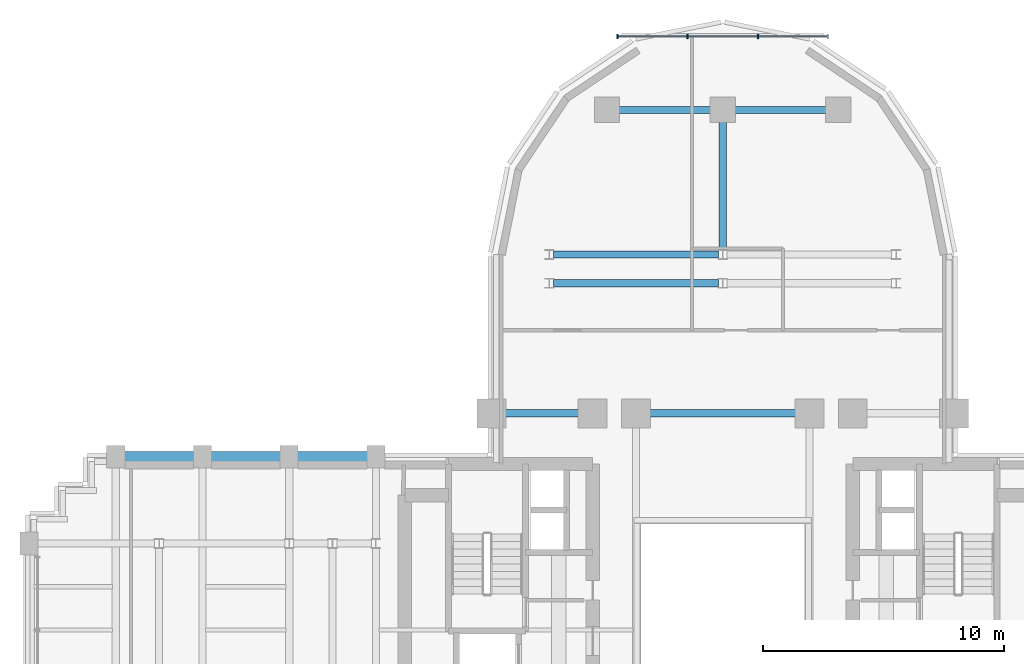
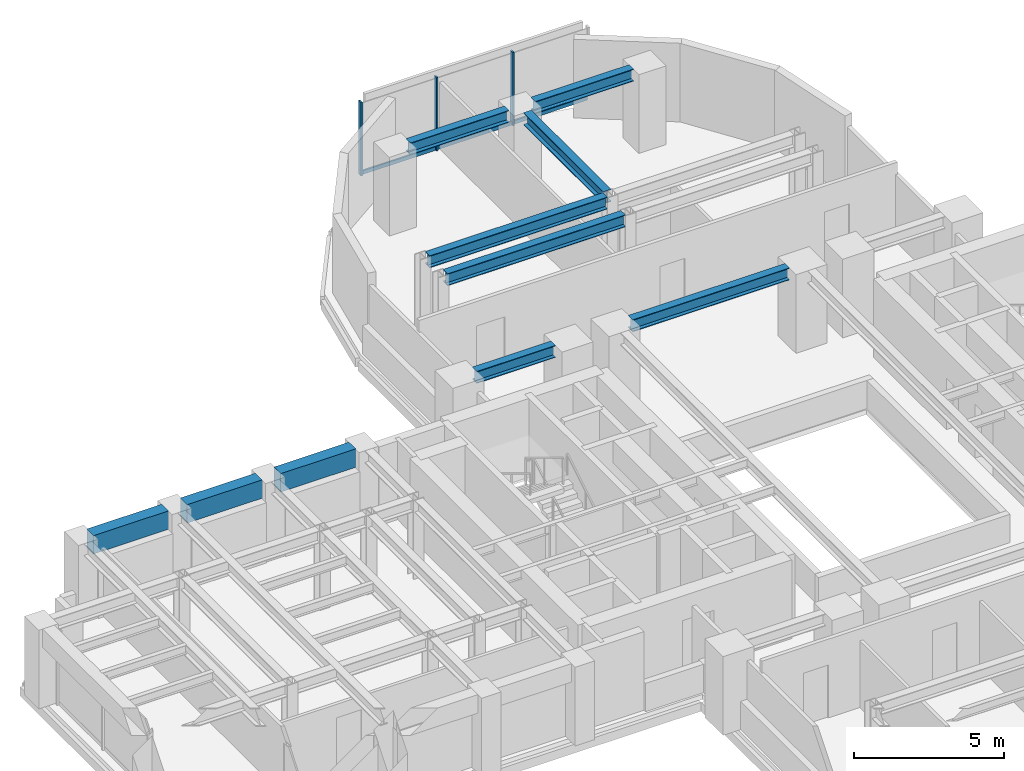
# One storey, part 7 of 16: 10 beams, 6 members, 1 element without a shape of its own.
"""IFC4 building model written with IfcOpenShell, lengths in metres."""

import ifcopenshell
import ifcopenshell.guid

model = None  # the IFC model being written
_history = None  # IfcOwnerHistory: only IFC2X3 demands one
_inside = {}  # id of a spatial element -> (the spatial element, [elements in it])
_under = {}  # id of a project, library or spatial element -> (it, [spatial elements below it])
_declared = {}  # id of a project -> (the project, [libraries it declares])
_typed = {}  # id of a type object -> (the type object, [elements of that type])
_made_of = {}  # id of a material, layer set ... -> (it, [elements and type objects made of it])


def new_model(schema):
    """Start an empty IFC model of exactly this schema.

    Asked for "IFC4X3", IfcOpenShell would pick the latest addendum, in which some entities
    have other attributes; the version numbers below select the first issue.
    IFC2X3 requires an IfcOwnerHistory on every rooted entity: one is made here for all.
    """
    global model, _history
    if schema == "IFC4X3":
        model = ifcopenshell.file(schema_version=(4, 3, 0, 0))
    else:
        model = ifcopenshell.file(schema=schema)
    _inside.clear()
    _under.clear()
    _declared.clear()
    _typed.clear()
    _made_of.clear()
    _history = None
    if model.schema == "IFC2X3":
        org = make("IfcOrganization", Name="unknown")
        user = make(
            "IfcPersonAndOrganization",
            ThePerson=make("IfcPerson", FamilyName="unknown"),
            TheOrganization=org,
        )
        app = make(
            "IfcApplication",
            ApplicationDeveloper=org,
            Version="unknown",
            ApplicationFullName="unknown",
            ApplicationIdentifier="unknown",
        )
        _history = make(
            "IfcOwnerHistory",
            OwningUser=user,
            OwningApplication=app,
            ChangeAction="ADDED",
            CreationDate=0,
        )
    return model


def make(cls, **values):
    """One entity of the class cls with the attributes given. An attribute that is None is left unset."""
    return model.create_entity(
        cls, **{name: value for name, value in values.items() if value is not None}
    )


def rooted(cls, **values):
    """An entity with a GlobalId (a new one), such as an element, a storey or a relation."""
    return make(cls, GlobalId=ifcopenshell.guid.new(), OwnerHistory=_history, **values)


def si_unit(unit_type, name, prefix=None):
    """IfcSIUnit, for example si_unit("LENGTHUNIT", "METRE", prefix="MILLI")."""
    return make("IfcSIUnit", UnitType=unit_type, Prefix=prefix, Name=name)


def assignment(units):
    """IfcUnitAssignment: the units of a project."""
    return None if units is None else make("IfcUnitAssignment", Units=units)


def point(xyz):
    """IfcCartesianPoint."""
    return None if xyz is None else make("IfcCartesianPoint", Coordinates=xyz)


def direction(xyz):
    """IfcDirection."""
    return None if xyz is None else make("IfcDirection", DirectionRatios=xyz)


def frame(location, z_axis=None, x_axis=None):
    """IfcAxis2Placement3D, a coordinate frame: its origin and axes. An axis left out is left unset."""
    return make(
        "IfcAxis2Placement3D",
        Location=point(location),
        Axis=direction(z_axis),
        RefDirection=direction(x_axis),
    )


def frame_2d(location, x_axis=None):
    """IfcAxis2Placement2D, a coordinate frame in the plane: its origin and x axis."""
    return make(
        "IfcAxis2Placement2D", Location=point(location), RefDirection=direction(x_axis)
    )


def origin():
    """The frame at (0, 0, 0) with its axes left unset."""
    return frame((0.0, 0.0, 0.0))


def origin_2d():
    """The frame at (0, 0) in the plane with its x axis left unset."""
    return frame_2d((0.0, 0.0))


def place(relative_to, where):
    """IfcLocalPlacement: puts the frame where relative to a parent placement (None: the world)."""
    return make(
        "IfcLocalPlacement", PlacementRelTo=relative_to, RelativePlacement=where
    )


def context(
    kind, dimensions, precision=None, world=None, true_north=None, identifier=None
):
    """IfcGeometricRepresentationContext, for example the 3D "Model" context."""
    return make(
        "IfcGeometricRepresentationContext",
        ContextIdentifier=identifier,
        ContextType=kind,
        CoordinateSpaceDimension=dimensions,
        Precision=precision,
        WorldCoordinateSystem=world,
        TrueNorth=true_north,
    )


def subcontext(parent, identifier, kind, view, scale=None):
    """IfcGeometricRepresentationSubContext, for example "Body" below "Model"."""
    return make(
        "IfcGeometricRepresentationSubContext",
        ContextIdentifier=identifier,
        ContextType=kind,
        ParentContext=parent,
        TargetScale=scale,
        TargetView=view,
    )


def project(units=None, contexts=None):
    """IfcProject with its units and contexts."""
    return rooted(
        "IfcProject",
        Name="project",
        RepresentationContexts=contexts,
        UnitsInContext=assignment(units),
    )


def spatial(cls, under=None, at=None, **own):
    """A site, building, storey or space (cls), placed at a placement, below another one or the project."""
    s = rooted(cls, ObjectPlacement=at, **own)
    if under is not None:
        _under.setdefault(under.id(), (under, []))[1].append(s)
    return s


def profile(cls, at=None, kind="AREA", **sizes):
    """A parametric profile (cls). Its sizes go by their IFC names, for example OverallWidth=200.0."""
    return make(cls, ProfileType=kind, Position=at, **sizes)


def rectangle(**sizes):
    """IfcRectangleProfileDef."""
    return profile("IfcRectangleProfileDef", **sizes)


def i_section(**sizes):
    """IfcIShapeProfileDef."""
    return profile("IfcIShapeProfileDef", **sizes)


def extrude(swept, where, along, depth):
    """IfcExtrudedAreaSolid: the profile swept, set in the frame where, extruded along a direction by depth."""
    return make(
        "IfcExtrudedAreaSolid",
        SweptArea=swept,
        Position=where,
        ExtrudedDirection=direction(along),
        Depth=depth,
    )


def shape(context_of_items, identifier, shape_type, items):
    """IfcShapeRepresentation: the items that make up one representation, for example the "Body"."""
    return make(
        "IfcShapeRepresentation",
        ContextOfItems=context_of_items,
        RepresentationIdentifier=identifier,
        RepresentationType=shape_type,
        Items=items,
    )


def source(mapping_origin, context_of_items, identifier, shape_type, items):
    """IfcRepresentationMap: a shape defined once, which mapped items show again and again."""
    return make(
        "IfcRepresentationMap",
        MappingOrigin=mapping_origin,
        MappedRepresentation=shape(context_of_items, identifier, shape_type, items),
    )


def transform(
    local_origin,
    x_axis=None,
    y_axis=None,
    z_axis=None,
    scale=None,
    scale2=None,
    scale3=None,
    uniform=True,
):
    """IfcCartesianTransformationOperator3D, or its non-uniform kind. x_axis, y_axis, z_axis: its Axis1, 2, 3."""
    if uniform:
        return make(
            "IfcCartesianTransformationOperator3D",
            Axis1=direction(x_axis),
            Axis2=direction(y_axis),
            LocalOrigin=point(local_origin),
            Scale=scale,
            Axis3=direction(z_axis),
        )
    return make(
        "IfcCartesianTransformationOperator3DnonUniform",
        Axis1=direction(x_axis),
        Axis2=direction(y_axis),
        LocalOrigin=point(local_origin),
        Scale=scale,
        Axis3=direction(z_axis),
        Scale2=scale2,
        Scale3=scale3,
    )


def mapped(mapping_source, mapping_target):
    """IfcMappedItem: shows the shape of a source again, moved by a transform."""
    return make(
        "IfcMappedItem", MappingSource=mapping_source, MappingTarget=mapping_target
    )


def material(Name=None, Category=None):
    """IfcMaterial."""
    return make("IfcMaterial", Name=Name, Category=Category)


def material_profile(
    of_material, cross_section, Name=None, Category=None, Priority=None
):
    """IfcMaterialProfile: a cross section and its material."""
    return make(
        "IfcMaterialProfile",
        Name=Name,
        Material=of_material,
        Profile=cross_section,
        Priority=Priority,
        Category=Category,
    )


def profile_set(profiles, Name=None, composite=None):
    """IfcMaterialProfileSet."""
    return make(
        "IfcMaterialProfileSet",
        Name=Name,
        MaterialProfiles=profiles,
        CompositeProfile=composite,
    )


def made_of(thing, what):
    """Note that an element or type object is made of a material, layer set ...; save() writes the relation."""
    if what is not None:
        _made_of.setdefault(what.id(), (what, []))[1].append(thing)
    return thing


def type_object(cls, material=None, **own):
    """A type object (cls), such as IfcWallType, which elements share."""
    return made_of(rooted(cls, **own), material)


def element(
    cls,
    number,
    at=None,
    inside=None,
    cuts=None,
    type_object=None,
    material=None,
    context=None,
    identifier="Body",
    shape_type=None,
    held_by="IfcProductDefinitionShape",
    body=None,
    shapes=None,
    **own,
):
    """One element of the class cls, such as IfcWall. Its Tag is "e" and its number.

    at: its placement. inside: the storey or other place that contains it. cuts: it is an
    opening in that element (IfcRelVoidsElement). A single representation is given by context,
    identifier, shape_type and body (its items); several are given by shapes. held_by: the class
    of the entity that holds the representations. save() writes the other relations.
    """
    e = rooted(cls, Tag="e%d" % number, ObjectPlacement=at, **own)
    if body is not None:
        shapes = [shape(context, identifier, shape_type, body)]
    if shapes is not None:
        e.Representation = make(held_by, Representations=shapes)
    if inside is not None:
        _inside.setdefault(inside.id(), (inside, []))[1].append(e)
    if cuts is not None:
        rooted(
            "IfcRelVoidsElement", RelatingBuildingElement=cuts, RelatedOpeningElement=e
        )
    if type_object is not None:
        _typed.setdefault(type_object.id(), (type_object, []))[1].append(e)
    return made_of(e, material)


def aggregate(whole, parts):
    """IfcRelAggregates: a whole, such as a stair, and the parts it consists of."""
    return rooted("IfcRelAggregates", RelatingObject=whole, RelatedObjects=parts)


def save(model, path):
    """Write the relations noted so far, then the file.

    IfcRelAggregates (storeys below a building ...), IfcRelContainedInSpatialStructure (elements
    in a storey), IfcRelDefinesByType, IfcRelAssociatesMaterial and IfcRelDeclares: one each for
    every whole, place, type object, material and project.
    """
    for whole, parts in _under.values():
        aggregate(whole, parts)
    for where, things in _inside.values():
        rooted(
            "IfcRelContainedInSpatialStructure",
            RelatedElements=things,
            RelatingStructure=where,
        )
    for kind, things in _typed.values():
        rooted("IfcRelDefinesByType", RelatedObjects=things, RelatingType=kind)
    for what, things in _made_of.values():
        rooted("IfcRelAssociatesMaterial", RelatedObjects=things, RelatingMaterial=what)
    for by, libraries in _declared.values():
        rooted("IfcRelDeclares", RelatingContext=by, RelatedDefinitions=libraries)
    model.write(path)


model = new_model("IFC4")

# Units and contexts
model_context = context("Model", 3, precision=1e-05, world=origin(), true_north=direction((0.0, 1.0)))
body_context = subcontext(model_context, "Body", "Model", "MODEL_VIEW")
ifc_project = project(units=[si_unit("LENGTHUNIT", "METRE"), si_unit("AREAUNIT", "SQUARE_METRE"), si_unit("VOLUMEUNIT", "CUBIC_METRE"), si_unit("PLANEANGLEUNIT", "RADIAN"), si_unit("MASSUNIT", "GRAM", prefix="KILO")], contexts=[model_context])

# Site, building, storey
site_placement = place(None, origin())
site = spatial("IfcSite", under=ifc_project, at=site_placement, CompositionType="ELEMENT")
building_placement = place(site_placement, origin())
building = spatial("IfcBuilding", under=site, at=building_placement, Name="Keilestroom Media Tower", CompositionType="ELEMENT")
storey_placement = place(building_placement, frame((0.0, 0.0, 74.800048828125)))
storey = spatial("IfcBuildingStorey", under=building, at=storey_placement, Name="L19", CompositionType="ELEMENT", Elevation=74.800048828125)

# Beams
ifc_material_1 = material(Name="Precast concrete C40/50", Category="concrete")
ifc_material_profile_1 = material_profile(ifc_material_1, rectangle(XDim=0.449951171875, YDim=0.75, at=origin_2d()), Name="PC 450x750")
ifc_profile_set_1 = profile_set([ifc_material_profile_1], Name="Precast concrete C40/50")
beam_type_1 = type_object("IfcBeamType", Name="Perimeter-Spandrel-Beam-PC-450x750", PredefinedType="SPANDREL", material=ifc_profile_set_1)
shared_shape_1 = source(origin(), body_context, "Body", "SweptSolid", [
    extrude(rectangle(XDim=0.449951171875, YDim=0.75, at=origin_2d()), origin(), (0.0, 0.0, 1.0), 2.889892578125),
])
beam_1_placement = place(storey_placement, frame((-24.844970703125, 7.199951171875, 2.824951171875), z_axis=(1.0, 0.0, 0.0), x_axis=(0.0, 1.0, 0.0)))
element("IfcBeam", 1, at=beam_1_placement, inside=storey, type_object=beam_type_1, Name="L19 Beam SPB-1 BM-L19-EW-034", PredefinedType="SPANDREL", context=body_context, shape_type="MappedRepresentation", body=[
    mapped(shared_shape_1, transform((0.0, 0.0, 0.0), x_axis=(1.0, 0.0, 0.0), y_axis=(0.0, 1.0, 0.0), z_axis=(0.0, 0.0, 1.0), scale=1.0)),
])
shared_shape_2 = source(origin(), body_context, "Body", "SweptSolid", [
    extrude(rectangle(XDim=0.449951171875, YDim=0.75, at=origin_2d()), origin(), (0.0, 0.0, 1.0), 2.89013671875),
])
for number, where, z_axis, x_axis, name in (
    (2, (-21.2451171875, 7.199951171875, 2.824951171875), (1.0, 0.0, 0.0), (0.0, 1.0, 0.0), "L19 Beam SPB-1 BM-L19-EW-035"),
    (3, (-17.64501953125, 7.199951171875, 2.824951171875), (1.0, 0.0, 0.0), (0.0, 1.0, 0.0), "L19 Beam SPB-1 BM-L19-EW-036"),
):
    element("IfcBeam", number, at=place(storey_placement, frame(where, z_axis=z_axis, x_axis=x_axis)), inside=storey, type_object=beam_type_1, Name=name, PredefinedType="SPANDREL", context=body_context, shape_type="MappedRepresentation", body=[
        mapped(shared_shape_2, transform((0.0, 0.0, 0.0), x_axis=(1.0, 0.0, 0.0), y_axis=(0.0, 1.0, 0.0), z_axis=(0.0, 0.0, 1.0), scale=1.0)),
    ])
ifc_material_2 = material(Name="Steel S355", Category="steel")
ifc_material_profile_2 = material_profile(ifc_material_2, i_section(OverallWidth=0.300048828125, OverallDepth=0.5, WebThickness=0.012451171875, FlangeThickness=0.028076171875, at=origin_2d()), Name="HEB 500")
ifc_profile_set_2 = profile_set([ifc_material_profile_2], Name="Steel S355")
beam_type_2 = type_object("IfcBeamType", Name="Primary-Structural-Girder-HEB-500", PredefinedType="BEAM", material=ifc_profile_set_2)
shared_shape_3 = source(origin(), body_context, "Body", "SweptSolid", [
    extrude(i_section(OverallWidth=0.300048828125, OverallDepth=0.5, WebThickness=0.012451171875, FlangeThickness=0.028076171875, at=origin_2d()), origin(), (0.0, 0.0, 1.0), 5.3115234375),
])
beam_2_placement = place(storey_placement, frame((0.0, 15.783447265625, 2.949951171875), z_axis=(0.0, 1.0, 0.0), x_axis=(-1.0, 0.0, 0.0)))
element("IfcBeam", 4, at=beam_2_placement, inside=storey, type_object=beam_type_2, Name="L19 Beam BG-6 BM-L19-NS-070", PredefinedType="BEAM", context=body_context, shape_type="MappedRepresentation", body=[
    mapped(shared_shape_3, transform((0.0, 0.0, 0.0), x_axis=(1.0, 0.0, 0.0), y_axis=(0.0, 1.0, 0.0), z_axis=(0.0, 0.0, 1.0), scale=1.0)),
])
ifc_material_profile_3 = material_profile(ifc_material_2, i_section(OverallWidth=0.300048828125, OverallDepth=0.489990234375, WebThickness=0.011962890625, FlangeThickness=0.02294921875, at=origin_2d()), Name="HEA 500")
ifc_profile_set_3 = profile_set([ifc_material_profile_3], Name="Steel S355")
beam_type_3 = type_object("IfcBeamType", Name="Primary-Structural-Girder-HEA-500", PredefinedType="BEAM", material=ifc_profile_set_3)
shared_shape_4 = source(origin(), body_context, "Body", "SweptSolid", [
    extrude(i_section(OverallWidth=0.300048828125, OverallDepth=0.489990234375, WebThickness=0.011962890625, FlangeThickness=0.02294921875, at=origin_2d()), origin(), (0.0, 0.0, 1.0), 3.7900390625),
])
for number, where, z_axis, x_axis, name in (
    (5, (-4.294921875, 21.60009765625, 2.954833984375), (1.0, 0.0, 0.0), (0.0, 1.0, 0.0), "L19 Beam BG-10 BM-L19-EW-049"),
    (6, (0.5048828125, 21.60009765625, 2.954833984375), (1.0, 0.0, 0.0), (0.0, 1.0, 0.0), "L19 Beam BG-10 BM-L19-EW-050"),
):
    element("IfcBeam", number, at=place(storey_placement, frame(where, z_axis=z_axis, x_axis=x_axis)), inside=storey, type_object=beam_type_3, Name=name, PredefinedType="BEAM", context=body_context, shape_type="MappedRepresentation", body=[
        mapped(shared_shape_4, transform((0.0, 0.0, 0.0), x_axis=(1.0, 0.0, 0.0), y_axis=(0.0, 1.0, 0.0), z_axis=(0.0, 0.0, 1.0), scale=1.0)),
    ])
shared_shape_5 = source(origin(), body_context, "Body", "SweptSolid", [
    extrude(i_section(OverallWidth=0.300048828125, OverallDepth=0.489990234375, WebThickness=0.011962890625, FlangeThickness=0.02294921875, at=origin_2d()), origin(), (0.0, 0.0, 1.0), 6.836181640625),
])
for number, where, z_axis, x_axis, name in (
    (7, (-7.01806640625, 14.39990234375, 2.954833984375), (1.0, 0.0, 0.0), (0.0, 1.0, 0.0), "L19 Beam BG-10 BM-L19-EW-045"),
    (8, (-7.01806640625, 15.60009765625, 2.954833984375), (1.0, 0.0, 0.0), (0.0, 1.0, 0.0), "L19 Beam BG-10 BM-L19-EW-047"),
):
    element("IfcBeam", number, at=place(storey_placement, frame(where, z_axis=z_axis, x_axis=x_axis)), inside=storey, type_object=beam_type_3, Name=name, PredefinedType="BEAM", context=body_context, shape_type="MappedRepresentation", body=[
        mapped(shared_shape_5, transform((0.0, 0.0, 0.0), x_axis=(1.0, 0.0, 0.0), y_axis=(0.0, 1.0, 0.0), z_axis=(0.0, 0.0, 1.0), scale=1.0)),
    ])
shared_shape_6 = source(origin(), body_context, "Body", "SweptSolid", [
    extrude(i_section(OverallWidth=0.300048828125, OverallDepth=0.489990234375, WebThickness=0.011962890625, FlangeThickness=0.02294921875, at=origin_2d()), origin(), (0.0, 0.0, 1.0), 3.0400390625),
])
beam_3_placement = place(storey_placement, frame((-9.02001953125, 9.0, 2.954833984375), z_axis=(1.0, 0.0, 0.0), x_axis=(0.0, 1.0, 0.0)))
element("IfcBeam", 9, at=beam_3_placement, inside=storey, type_object=beam_type_3, Name="L19 Beam BG-10 BM-L19-EW-040", PredefinedType="BEAM", context=body_context, shape_type="MappedRepresentation", body=[
    mapped(shared_shape_6, transform((0.0, 0.0, 0.0), x_axis=(1.0, 0.0, 0.0), y_axis=(0.0, 1.0, 0.0), z_axis=(0.0, 0.0, 1.0), scale=1.0)),
])
shared_shape_7 = source(origin(), body_context, "Body", "SweptSolid", [
    extrude(i_section(OverallWidth=0.300048828125, OverallDepth=0.489990234375, WebThickness=0.011962890625, FlangeThickness=0.02294921875, at=origin_2d()), origin(), (0.0, 0.0, 1.0), 6.0400390625),
])
beam_4_placement = place(storey_placement, frame((-3.02001953125, 9.0, 2.954833984375), z_axis=(1.0, 0.0, 0.0), x_axis=(0.0, 1.0, 0.0)))
element("IfcBeam", 10, at=beam_4_placement, inside=storey, type_object=beam_type_3, Name="L19 Beam BG-10 BM-L19-EW-042", PredefinedType="BEAM", context=body_context, shape_type="MappedRepresentation", body=[
    mapped(shared_shape_7, transform((0.0, 0.0, 0.0), x_axis=(1.0, 0.0, 0.0), y_axis=(0.0, 1.0, 0.0), z_axis=(0.0, 0.0, 1.0), scale=1.0)),
])

# Curtain wall, members
ifc_material_3 = material(Name="Anodised Aluminium Alloy", Category="aluminium")
curtain_wall_type = type_object("IfcCurtainWallType", Name="Unitised-Curtain-Wall-CW-6", PredefinedType="NOTDEFINED", material=ifc_material_3)
curtain_wall_placement = place(storey_placement, origin())
curtain_wall = element("IfcCurtainWall", 11, at=curtain_wall_placement, inside=storey, type_object=curtain_wall_type, Name="L19 Curtain Wall CW-6 CW-L19-LN-1", PredefinedType="NOTDEFINED")
ifc_material_profile_4 = material_profile(ifc_material_3, rectangle(XDim=0.06494140625, YDim=0.179931640625, at=origin_2d()), Name="ALU MULLION 65x180")
ifc_profile_set_4 = profile_set([ifc_material_profile_4], Name="Anodised Aluminium Alloy")
member_type_1 = type_object("IfcMemberType", Name="Curtain-Wall-Mullion-CW-6", PredefinedType="MULLION", material=ifc_profile_set_4)
shared_shape_8 = source(origin(), body_context, "Body", "SweptSolid", [
    extrude(rectangle(XDim=0.06494140625, YDim=0.179931640625, at=origin_2d()), origin(), (0.0, 0.0, 1.0), 2.97998046875),
])
member_1_placement = place(storey_placement, frame((-4.367431640625, 24.64990234375, 0.0), z_axis=(0.0, 0.0, 1.0), x_axis=(1.0, 0.0, 0.0)))
member_1 = element("IfcMember", 12, at=member_1_placement, type_object=member_type_1, Name="CW-6 Mullion 00", PredefinedType="MULLION", context=body_context, shape_type="MappedRepresentation", body=[
    mapped(shared_shape_8, transform((0.0, 0.0, 0.0), x_axis=(1.0, 0.0, 0.0), y_axis=(0.0, 1.0, 0.0), z_axis=(0.0, 0.0, 1.0), scale=1.0)),
])
member_2_placement = place(storey_placement, frame((-1.466796875, 24.64990234375, 0.0), z_axis=(0.0, 0.0, 1.0), x_axis=(1.0, 0.0, 0.0)))
member_2 = element("IfcMember", 13, at=member_2_placement, type_object=member_type_1, Name="CW-6 Mullion 01", PredefinedType="MULLION", context=body_context, shape_type="MappedRepresentation", body=[
    mapped(shared_shape_8, transform((0.0, 0.0, 0.0), x_axis=(1.0, 0.0, 0.0), y_axis=(0.0, 1.0, 0.0), z_axis=(0.0, 0.0, 1.0), scale=1.0)),
])
member_3_placement = place(storey_placement, frame((1.466796875, 24.64990234375, 0.0), z_axis=(0.0, 0.0, 1.0), x_axis=(1.0, 0.0, 0.0)))
member_3 = element("IfcMember", 14, at=member_3_placement, type_object=member_type_1, Name="CW-6 Mullion 02", PredefinedType="MULLION", context=body_context, shape_type="MappedRepresentation", body=[
    mapped(shared_shape_8, transform((0.0, 0.0, 0.0), x_axis=(1.0, 0.0, 0.0), y_axis=(0.0, 1.0, 0.0), z_axis=(0.0, 0.0, 1.0), scale=1.0)),
])
ifc_material_profile_5 = material_profile(ifc_material_3, rectangle(XDim=0.06494140625, YDim=0.14990234375, at=origin_2d()), Name="ALU TRANSOM 65x150")
ifc_profile_set_5 = profile_set([ifc_material_profile_5], Name="Anodised Aluminium Alloy")
member_type_2 = type_object("IfcMemberType", Name="Curtain-Wall-Transom-CW-6", PredefinedType="USERDEFINED", material=ifc_profile_set_5)
shared_shape_9 = source(origin(), body_context, "Body", "SweptSolid", [
    extrude(rectangle(XDim=0.06494140625, YDim=0.14990234375, at=origin_2d()), origin(), (0.0, 0.0, 1.0), 2.839599609375),
])
member_4_placement = place(storey_placement, frame((-4.3369140625, 24.64990234375, 0.074951171875), z_axis=(1.0, 0.0, 0.0), x_axis=(0.0, 1.0, 0.0)))
member_4 = element("IfcMember", 15, at=member_4_placement, type_object=member_type_2, Name="CW-6 Transom 00.1", ObjectType="TRANSOM", PredefinedType="USERDEFINED", context=body_context, shape_type="MappedRepresentation", body=[
    mapped(shared_shape_9, transform((0.0, 0.0, 0.0), x_axis=(1.0, 0.0, 0.0), y_axis=(0.0, 1.0, 0.0), z_axis=(0.0, 0.0, 1.0), scale=1.0)),
])
member_5_placement = place(storey_placement, frame((1.497314453125, 24.64990234375, 0.074951171875), z_axis=(1.0, 0.0, 0.0), x_axis=(0.0, 1.0, 0.0)))
member_5 = element("IfcMember", 16, at=member_5_placement, type_object=member_type_2, Name="CW-6 Transom 02.1", ObjectType="TRANSOM", PredefinedType="USERDEFINED", context=body_context, shape_type="MappedRepresentation", body=[
    mapped(shared_shape_9, transform((0.0, 0.0, 0.0), x_axis=(1.0, 0.0, 0.0), y_axis=(0.0, 1.0, 0.0), z_axis=(0.0, 0.0, 1.0), scale=1.0)),
])
shared_shape_10 = source(origin(), body_context, "Body", "SweptSolid", [
    extrude(rectangle(XDim=0.06494140625, YDim=0.14990234375, at=origin_2d()), origin(), (0.0, 0.0, 1.0), 2.87255859375),
])
member_6_placement = place(storey_placement, frame((-1.436279296875, 24.64990234375, 0.074951171875), z_axis=(1.0, 0.0, 0.0), x_axis=(0.0, 1.0, 0.0)))
member_6 = element("IfcMember", 17, at=member_6_placement, type_object=member_type_2, Name="CW-6 Transom 01.1", ObjectType="TRANSOM", PredefinedType="USERDEFINED", context=body_context, shape_type="MappedRepresentation", body=[
    mapped(shared_shape_10, transform((0.0, 0.0, 0.0), x_axis=(1.0, 0.0, 0.0), y_axis=(0.0, 1.0, 0.0), z_axis=(0.0, 0.0, 1.0), scale=1.0)),
])
aggregate(curtain_wall, [member_1, member_2, member_3, member_4, member_6, member_5])

save(model, "model.ifc")
